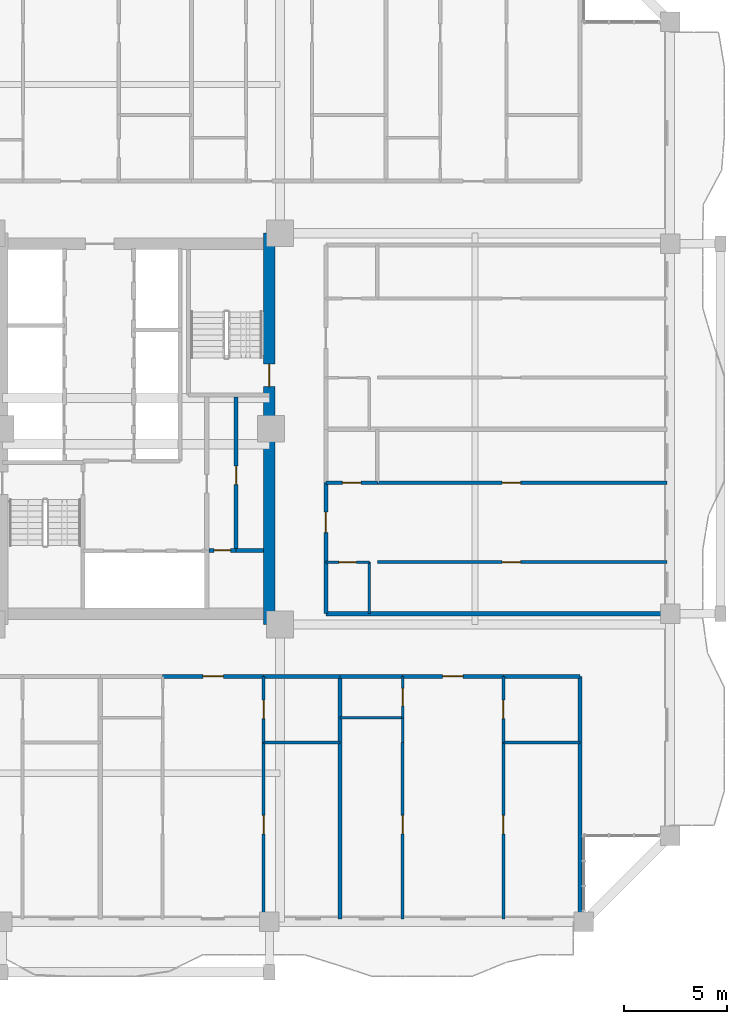
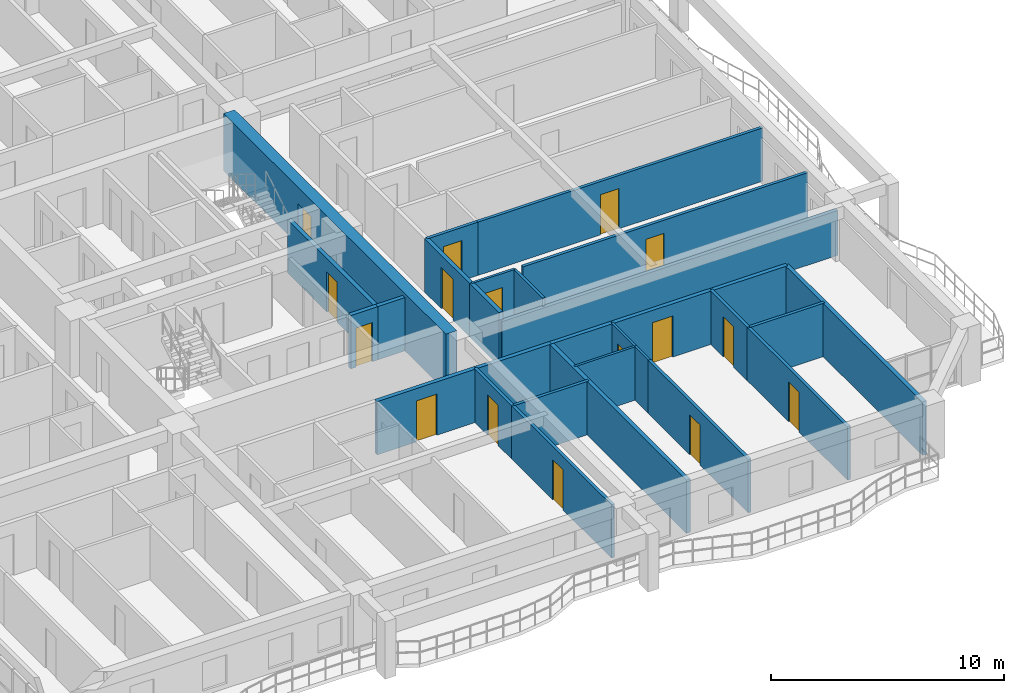
# One storey, part 17 of 26: 29 walls, 16 doors, 16 openings.
"""IFC4 building model written with IfcOpenShell, lengths in metres."""

from ifc_helpers import new_model, si_unit, direction, frame, frame_2d, origin, place, context, subcontext, project, spatial, rectangle, extrude, source, transform, mapped, material, layer, layer_set, type_object, element, fill, save


model = new_model("IFC4")

# Units and contexts
model_context = context("Model", 3, precision=1e-05, world=origin(), true_north=direction((0.0, 1.0)))
body_context = subcontext(model_context, "Body", "Model", "MODEL_VIEW")
ifc_project = project(units=[si_unit("LENGTHUNIT", "METRE"), si_unit("AREAUNIT", "SQUARE_METRE"), si_unit("VOLUMEUNIT", "CUBIC_METRE"), si_unit("PLANEANGLEUNIT", "RADIAN"), si_unit("MASSUNIT", "GRAM", prefix="KILO")], contexts=[model_context])

# Site, building, storey
site_placement = place(None, origin())
site = spatial("IfcSite", under=ifc_project, at=site_placement, CompositionType="ELEMENT")
building_placement = place(site_placement, origin())
building = spatial("IfcBuilding", under=site, at=building_placement, Name="Saelheon Loggia Tower", CompositionType="ELEMENT")
storey_placement = place(building_placement, frame((0.0, 0.0, 89.85009765625)))
storey = spatial("IfcBuildingStorey", under=building, at=storey_placement, Name="L28", CompositionType="ELEMENT", Elevation=89.85009765625)

# Wall, opening, door
ifc_material_1 = material(Name="Concrete C50/60", Category="concrete")
ifc_layer_1 = layer(ifc_material_1, 0.550048828125)
ifc_layer_set_1 = layer_set([ifc_layer_1], Name="Concrete C50/60")
wall_type_1 = type_object("IfcWallType", Name="Wall_CoreShear_550", PredefinedType="SHEAR", material=ifc_layer_set_1)
wall_1_placement = place(storey_placement, frame((44.5, 17.47998046875, 0.0), z_axis=(0.0, 0.0, 1.0), x_axis=(0.0, 1.0, 0.0)))
wall_1 = element("IfcWall", 1, at=wall_1_placement, inside=storey, type_object=wall_type_1, Name="L28 Core Shear Wall East", PredefinedType="SHEAR", context=body_context, shape_type="SweptSolid", body=[
    extrude(rectangle(XDim=19.0400390625, YDim=0.550048828125, at=frame_2d((9.52001953125, 0.0))), origin(), (0.0, 0.0, 1.0), 3.0),
])
opening_1_placement = place(wall_1_placement, frame((12.670166015625, 0.0, 0.0), z_axis=(0.0, 0.0, 1.0), x_axis=(-1.0, 0.0, 0.0)))
opening_1 = element("IfcOpeningElement", 2, at=opening_1_placement, cuts=wall_1, Name="Opening D-FD2", PredefinedType="OPENING", context=body_context, shape_type="SweptSolid", body=[
    extrude(rectangle(XDim=1.10009765625, YDim=2.14990234375, at=frame_2d((0.550048828125, 1.074951171875))), frame((0.0, 0.287109375, 0.0), z_axis=(0.0, -1.0, 0.0), x_axis=(1.0, 0.0, 0.0)), (0.0, 0.0, 1.0), 0.573974609375),
])
ifc_material_2 = material(Name="Galvanised Steel Fire Door", Category="steel")
door_type_1 = type_object("IfcDoorType", Name="Door_Fire_FD60_1100", OperationType="NOTDEFINED", PredefinedType="DOOR", material=ifc_material_2)
shared_shape_1 = source(origin(), body_context, "Body", "SweptSolid", [
    extrude(rectangle(XDim=1.10009765625, YDim=2.14990234375, at=frame_2d((0.550048828125, 1.074951171875))), frame((0.0, 0.02490234375, 0.0), z_axis=(0.0, -1.0, 0.0), x_axis=(1.0, 0.0, 0.0)), (0.0, 0.0, 1.0), 0.050048828125),
])
door_1_placement = place(opening_1_placement, origin())
door_1 = element("IfcDoor", 3, at=door_1_placement, inside=storey, type_object=door_type_1, Name="L28 Stair ST2 Corridor Door", OperationType="SINGLE_SWING_RIGHT", OverallHeight=2.14990234375, OverallWidth=1.10009765625, PredefinedType="DOOR", context=body_context, shape_type="MappedRepresentation", body=[
    mapped(shared_shape_1, transform((0.0, 0.0, 0.0), scale=1.0)),
])
fill(opening_1, door_1)

# Wall
ifc_material_3 = material(Name="Lightweight Autoclaved Aerated Concrete Block and Acoustic Gypsum", Category="concrete")
ifc_layer_2 = layer(ifc_material_3, 0.14990234375)
ifc_layer_set_2 = layer_set([ifc_layer_2], Name="Lightweight Autoclaved Aerated Concrete Block and Acoustic Gypsum")
wall_type_2 = type_object("IfcWallType", Name="Wall_Part_150", PredefinedType="PARTITIONING", material=ifc_layer_set_2)
wall_2_placement = place(storey_placement, frame((44.219970703125, 11.72998046875, 0.0), z_axis=(0.0, 0.0, 1.0), x_axis=(1.0, 0.0, 0.0)))
element("IfcWall", 4, at=wall_2_placement, inside=storey, type_object=wall_type_2, Name="L28 S Partition V29", PredefinedType="PARTITIONING", context=body_context, shape_type="SweptSolid", body=[
    extrude(rectangle(XDim=3.725341796875, YDim=0.14990234375, at=frame_2d((1.86279296875, 0.0))), origin(), (0.0, 0.0, 1.0), 2.789794921875),
])

# Wall, opening, door
wall_3_placement = place(storey_placement, frame((44.219970703125, 14.949951171875, 0.0), z_axis=(0.0, 0.0, 1.0), x_axis=(0.0, -1.0, 0.0)))
wall_3 = element("IfcWall", 5, at=wall_3_placement, inside=storey, type_object=wall_type_2, Name="L28 S Partition U33", PredefinedType="PARTITIONING", context=body_context, shape_type="SweptSolid", body=[
    extrude(rectangle(XDim=3.219970703125, YDim=0.14990234375, at=frame_2d((1.60986328125, 0.0))), origin(), (0.0, 0.0, 1.0), 2.789794921875),
])
opening_2_placement = place(wall_3_placement, frame((1.159912109375, 0.0, 0.0)))
opening_2 = element("IfcOpeningElement", 6, at=opening_2_placement, cuts=wall_3, Name="Opening D-IN2", PredefinedType="OPENING", context=body_context, shape_type="SweptSolid", body=[
    extrude(rectangle(XDim=0.89990234375, YDim=2.10009765625, at=frame_2d((0.449951171875, 1.050048828125))), frame((0.0, 0.0869140625, 0.0), z_axis=(0.0, -1.0, 0.0), x_axis=(1.0, 0.0, 0.0)), (0.0, 0.0, 1.0), 0.173828125),
])
ifc_material_4 = material(Name="Engineered Oak Flush Door", Category="timber")
door_type_2 = type_object("IfcDoorType", Name="Door_Int_900", OperationType="NOTDEFINED", PredefinedType="DOOR", material=ifc_material_4)
shared_shape_2 = source(origin(), body_context, "Body", "SweptSolid", [
    extrude(rectangle(XDim=0.89990234375, YDim=2.10009765625, at=frame_2d((0.449951171875, 1.050048828125))), frame((0.0, 0.02490234375, 0.0), z_axis=(0.0, -1.0, 0.0), x_axis=(1.0, 0.0, 0.0)), (0.0, 0.0, 1.0), 0.050048828125),
])
door_2_placement = place(opening_2_placement, origin())
door_2 = element("IfcDoor", 7, at=door_2_placement, inside=storey, type_object=door_type_2, Name="Unit U03 Kitchen Door", OperationType="SINGLE_SWING_RIGHT", OverallHeight=2.10009765625, OverallWidth=0.89990234375, PredefinedType="DOOR", context=body_context, shape_type="MappedRepresentation", body=[
    mapped(shared_shape_2, transform((0.0, 0.0, 0.0), scale=1.0)),
])
fill(opening_2, door_2)

wall_4_placement = place(storey_placement, frame((44.219970703125, 11.72998046875, 0.0), z_axis=(0.0, 0.0, 1.0), x_axis=(0.0, -1.0, 0.0)))
wall_4 = element("IfcWall", 8, at=wall_4_placement, inside=storey, type_object=wall_type_2, Name="L28 S Partition U34", PredefinedType="PARTITIONING", context=body_context, shape_type="SweptSolid", body=[
    extrude(rectangle(XDim=8.580078125, YDim=0.14990234375, at=frame_2d((4.2900390625, 0.0))), origin(), (0.0, 0.0, 1.0), 2.789794921875),
])
opening_3_placement = place(wall_4_placement, frame((3.5400390625, 0.0, 0.0)))
opening_3 = element("IfcOpeningElement", 9, at=opening_3_placement, cuts=wall_4, Name="Opening D-IN2", PredefinedType="OPENING", context=body_context, shape_type="SweptSolid", body=[
    extrude(rectangle(XDim=0.89990234375, YDim=2.10009765625, at=frame_2d((0.449951171875, 1.050048828125))), frame((0.0, 0.0869140625, 0.0), z_axis=(0.0, -1.0, 0.0), x_axis=(1.0, 0.0, 0.0)), (0.0, 0.0, 1.0), 0.173828125),
])
door_3_placement = place(opening_3_placement, origin())
door_3 = element("IfcDoor", 10, at=door_3_placement, inside=storey, type_object=door_type_2, Name="Unit U03 Bedroom 1 Door", OperationType="SINGLE_SWING_LEFT", OverallHeight=2.10009765625, OverallWidth=0.89990234375, PredefinedType="DOOR", context=body_context, shape_type="MappedRepresentation", body=[
    mapped(shared_shape_2, transform((0.0, 0.0, 0.0), scale=1.0)),
])
fill(opening_3, door_3)

# Wall
wall_5_placement = place(storey_placement, frame((55.884033203125, 11.72998046875, 0.0), z_axis=(0.0, 0.0, 1.0), x_axis=(1.0, 0.0, 0.0)))
element("IfcWall", 11, at=wall_5_placement, inside=storey, type_object=wall_type_2, Name="L28 S Partition V40", PredefinedType="PARTITIONING", context=body_context, shape_type="SweptSolid", body=[
    extrude(rectangle(XDim=3.736083984375, YDim=0.14990234375, at=frame_2d((1.8681640625, 0.0))), origin(), (0.0, 0.0, 1.0), 2.789794921875),
])

# Wall, opening, door
wall_6_placement = place(storey_placement, frame((50.980712890625, 11.72998046875, 0.0), z_axis=(0.0, 0.0, 1.0), x_axis=(0.0, -1.0, 0.0)))
wall_6 = element("IfcWall", 12, at=wall_6_placement, inside=storey, type_object=wall_type_2, Name="L28 S Partition U43", PredefinedType="PARTITIONING", context=body_context, shape_type="SweptSolid", body=[
    extrude(rectangle(XDim=8.580078125, YDim=0.14990234375, at=frame_2d((4.2900390625, 0.0))), origin(), (0.0, 0.0, 1.0), 2.789794921875),
])
opening_4_placement = place(wall_6_placement, frame((3.5400390625, 0.0, 0.0)))
opening_4 = element("IfcOpeningElement", 13, at=opening_4_placement, cuts=wall_6, Name="Opening D-IN2", PredefinedType="OPENING", context=body_context, shape_type="SweptSolid", body=[
    extrude(rectangle(XDim=0.89990234375, YDim=2.10009765625, at=frame_2d((0.449951171875, 1.050048828125))), frame((0.0, 0.0869140625, 0.0), z_axis=(0.0, -1.0, 0.0), x_axis=(1.0, 0.0, 0.0)), (0.0, 0.0, 1.0), 0.173828125),
])
door_4_placement = place(opening_4_placement, origin())
door_4 = element("IfcDoor", 14, at=door_4_placement, inside=storey, type_object=door_type_2, Name="Unit U04 Bedroom 2 Door", OperationType="SINGLE_SWING_RIGHT", OverallHeight=2.10009765625, OverallWidth=0.89990234375, PredefinedType="DOOR", context=body_context, shape_type="MappedRepresentation", body=[
    mapped(shared_shape_2, transform((0.0, 0.0, 0.0), scale=1.0)),
])
fill(opening_4, door_4)

wall_7_placement = place(storey_placement, frame((55.884033203125, 14.949951171875, 0.0), z_axis=(0.0, 0.0, 1.0), x_axis=(0.0, -1.0, 0.0)))
wall_7 = element("IfcWall", 15, at=wall_7_placement, inside=storey, type_object=wall_type_2, Name="L28 S Partition U44", PredefinedType="PARTITIONING", context=body_context, shape_type="SweptSolid", body=[
    extrude(rectangle(XDim=3.219970703125, YDim=0.14990234375, at=frame_2d((1.60986328125, 0.0))), origin(), (0.0, 0.0, 1.0), 2.789794921875),
])
opening_5_placement = place(wall_7_placement, frame((1.159912109375, 0.0, 0.0)))
opening_5 = element("IfcOpeningElement", 16, at=opening_5_placement, cuts=wall_7, Name="Opening D-IN2", PredefinedType="OPENING", context=body_context, shape_type="SweptSolid", body=[
    extrude(rectangle(XDim=0.89990234375, YDim=2.10009765625, at=frame_2d((0.449951171875, 1.050048828125))), frame((0.0, 0.0869140625, 0.0), z_axis=(0.0, -1.0, 0.0), x_axis=(1.0, 0.0, 0.0)), (0.0, 0.0, 1.0), 0.173828125),
])
door_5_placement = place(opening_5_placement, origin())
door_5 = element("IfcDoor", 17, at=door_5_placement, inside=storey, type_object=door_type_2, Name="Unit U04 Kitchen Door", OperationType="SINGLE_SWING_LEFT", OverallHeight=2.10009765625, OverallWidth=0.89990234375, PredefinedType="DOOR", context=body_context, shape_type="MappedRepresentation", body=[
    mapped(shared_shape_2, transform((0.0, 0.0, 0.0), scale=1.0)),
])
fill(opening_5, door_5)

wall_8_placement = place(storey_placement, frame((55.884033203125, 11.72998046875, 0.0), z_axis=(0.0, 0.0, 1.0), x_axis=(0.0, -1.0, 0.0)))
wall_8 = element("IfcWall", 18, at=wall_8_placement, inside=storey, type_object=wall_type_2, Name="L28 S Partition U45", PredefinedType="PARTITIONING", context=body_context, shape_type="SweptSolid", body=[
    extrude(rectangle(XDim=8.580078125, YDim=0.14990234375, at=frame_2d((4.2900390625, 0.0))), origin(), (0.0, 0.0, 1.0), 2.789794921875),
])
opening_6_placement = place(wall_8_placement, frame((3.5400390625, 0.0, 0.0)))
opening_6 = element("IfcOpeningElement", 19, at=opening_6_placement, cuts=wall_8, Name="Opening D-IN2", PredefinedType="OPENING", context=body_context, shape_type="SweptSolid", body=[
    extrude(rectangle(XDim=0.89990234375, YDim=2.10009765625, at=frame_2d((0.449951171875, 1.050048828125))), frame((0.0, 0.0869140625, 0.0), z_axis=(0.0, -1.0, 0.0), x_axis=(1.0, 0.0, 0.0)), (0.0, 0.0, 1.0), 0.173828125),
])
door_6_placement = place(opening_6_placement, origin())
door_6 = element("IfcDoor", 20, at=door_6_placement, inside=storey, type_object=door_type_2, Name="Unit U04 Bedroom 1 Door", OperationType="SINGLE_SWING_RIGHT", OverallHeight=2.10009765625, OverallWidth=0.89990234375, PredefinedType="DOOR", context=body_context, shape_type="MappedRepresentation", body=[
    mapped(shared_shape_2, transform((0.0, 0.0, 0.0), scale=1.0)),
])
fill(opening_6, door_6)

wall_9_placement = place(storey_placement, frame((49.75, 20.512939453125, 0.0), z_axis=(0.0, 0.0, 1.0), x_axis=(1.0, 0.0, 0.0)))
wall_9 = element("IfcWall", 21, at=wall_9_placement, inside=storey, type_object=wall_type_2, Name="L28 E Partition U09", PredefinedType="PARTITIONING", context=body_context, shape_type="SweptSolid", body=[
    extrude(rectangle(XDim=14.10009765625, YDim=0.14990234375, at=frame_2d((7.050048828125, 0.0))), origin(), (0.0, 0.0, 1.0), 2.789794921875),
])
opening_7_placement = place(wall_9_placement, frame((6.070068359375, 0.0, 0.0)))
opening_7 = element("IfcOpeningElement", 22, at=opening_7_placement, cuts=wall_9, Name="Opening D-IN2", PredefinedType="OPENING", context=body_context, shape_type="SweptSolid", body=[
    extrude(rectangle(XDim=0.89990234375, YDim=2.10009765625, at=frame_2d((0.449951171875, 1.050048828125))), frame((0.0, 0.0869140625, 0.0), z_axis=(0.0, -1.0, 0.0), x_axis=(1.0, 0.0, 0.0)), (0.0, 0.0, 1.0), 0.173828125),
])
door_7_placement = place(opening_7_placement, origin())
door_7 = element("IfcDoor", 23, at=door_7_placement, inside=storey, type_object=door_type_2, Name="Unit U12 Kitchen Door", OperationType="SINGLE_SWING_RIGHT", OverallHeight=2.10009765625, OverallWidth=0.89990234375, PredefinedType="DOOR", context=body_context, shape_type="MappedRepresentation", body=[
    mapped(shared_shape_2, transform((0.0, 0.0, 0.0), scale=1.0)),
])
fill(opening_7, door_7)

wall_10_placement = place(storey_placement, frame((47.25, 24.375, 0.0), z_axis=(0.0, 0.0, 1.0), x_axis=(1.0, 0.0, 0.0)))
wall_10 = element("IfcWall", 24, at=wall_10_placement, inside=storey, type_object=wall_type_2, Name="L28 E Partition U10", PredefinedType="PARTITIONING", context=body_context, shape_type="SweptSolid", body=[
    extrude(rectangle(XDim=2.5, YDim=0.14990234375, at=frame_2d((1.25, 0.0))), origin(), (0.0, 0.0, 1.0), 2.789794921875),
])
opening_8_placement = place(wall_10_placement, frame((0.800048828125, 0.0, 0.0)))
opening_8 = element("IfcOpeningElement", 25, at=opening_8_placement, cuts=wall_10, Name="Opening D-IN2", PredefinedType="OPENING", context=body_context, shape_type="SweptSolid", body=[
    extrude(rectangle(XDim=0.89990234375, YDim=2.10009765625, at=frame_2d((0.449951171875, 1.050048828125))), frame((0.0, 0.0869140625, 0.0), z_axis=(0.0, -1.0, 0.0), x_axis=(1.0, 0.0, 0.0)), (0.0, 0.0, 1.0), 0.173828125),
])
door_8_placement = place(opening_8_placement, origin())
door_8 = element("IfcDoor", 26, at=door_8_placement, inside=storey, type_object=door_type_2, Name="Unit U12 Dressing Closet Door", OperationType="SINGLE_SWING_LEFT", OverallHeight=2.10009765625, OverallWidth=0.89990234375, PredefinedType="DOOR", context=body_context, shape_type="MappedRepresentation", body=[
    mapped(shared_shape_2, transform((0.0, 0.0, 0.0), scale=1.0)),
])
fill(opening_8, door_8)

wall_11_placement = place(storey_placement, frame((49.75, 24.375, 0.0), z_axis=(0.0, 0.0, 1.0), x_axis=(1.0, 0.0, 0.0)))
wall_11 = element("IfcWall", 27, at=wall_11_placement, inside=storey, type_object=wall_type_2, Name="L28 E Partition U11", PredefinedType="PARTITIONING", context=body_context, shape_type="SweptSolid", body=[
    extrude(rectangle(XDim=14.10009765625, YDim=0.14990234375, at=frame_2d((7.050048828125, 0.0))), origin(), (0.0, 0.0, 1.0), 2.789794921875),
])
opening_9_placement = place(wall_11_placement, frame((6.070068359375, 0.0, 0.0)))
opening_9 = element("IfcOpeningElement", 28, at=opening_9_placement, cuts=wall_11, Name="Opening D-IN2", PredefinedType="OPENING", context=body_context, shape_type="SweptSolid", body=[
    extrude(rectangle(XDim=0.89990234375, YDim=2.10009765625, at=frame_2d((0.449951171875, 1.050048828125))), frame((0.0, 0.0869140625, 0.0), z_axis=(0.0, -1.0, 0.0), x_axis=(1.0, 0.0, 0.0)), (0.0, 0.0, 1.0), 0.173828125),
])
door_9_placement = place(opening_9_placement, origin())
door_9 = element("IfcDoor", 29, at=door_9_placement, inside=storey, type_object=door_type_2, Name="Unit U12 Bedroom 1 Door", OperationType="SINGLE_SWING_RIGHT", OverallHeight=2.10009765625, OverallWidth=0.89990234375, PredefinedType="DOOR", context=body_context, shape_type="MappedRepresentation", body=[
    mapped(shared_shape_2, transform((0.0, 0.0, 0.0), scale=1.0)),
])
fill(opening_9, door_9)

# Wall
ifc_material_5 = material(Name="Double Acoustic Stud and Fireboard Partition", Category="gypsum")
ifc_layer_3 = layer(ifc_material_5, 0.199951171875)
ifc_layer_set_3 = layer_set([ifc_layer_3], Name="Double Acoustic Stud and Fireboard Partition")
wall_type_3 = type_object("IfcWallType", Name="Wall_Party_200", PredefinedType="PARTITIONING", material=ifc_layer_set_3)
wall_12_placement = place(storey_placement, frame((59.6201171875, 14.949951171875, 0.0), z_axis=(0.0, 0.0, 1.0), x_axis=(0.0, -1.0, 0.0)))
element("IfcWall", 30, at=wall_12_placement, inside=storey, type_object=wall_type_3, Name="L28 S Partition U02", PredefinedType="PARTITIONING", context=body_context, shape_type="SweptSolid", body=[
    extrude(rectangle(XDim=11.800048828125, YDim=0.199951171875, at=frame_2d((5.89990234375, 0.0))), origin(), (0.0, 0.0, 1.0), 2.789794921875),
])

# Wall, opening, door
wall_13_placement = place(storey_placement, frame((39.305908203125, 14.949951171875, 0.0), z_axis=(0.0, 0.0, 1.0), x_axis=(1.0, 0.0, 0.0)))
wall_13 = element("IfcWall", 31, at=wall_13_placement, inside=storey, type_object=wall_type_3, Name="L28 S Partition V26", PredefinedType="PARTITIONING", context=body_context, shape_type="SweptSolid", body=[
    extrude(rectangle(XDim=4.9140625, YDim=0.199951171875, at=frame_2d((2.45703125, 0.0))), origin(), (0.0, 0.0, 1.0), 2.789794921875),
])
opening_10_placement = place(wall_13_placement, frame((1.95703125, 0.0, 0.0)))
opening_10 = element("IfcOpeningElement", 32, at=opening_10_placement, cuts=wall_13, Name="Opening D-FD1", PredefinedType="OPENING", context=body_context, shape_type="SweptSolid", body=[
    extrude(rectangle(XDim=1.0, YDim=2.14990234375, at=frame_2d((0.5, 1.074951171875))), frame((0.0, 0.112060546875, 0.0), z_axis=(0.0, -1.0, 0.0), x_axis=(1.0, 0.0, 0.0)), (0.0, 0.0, 1.0), 0.223876953125),
])
ifc_material_6 = material(Name="Fire-Rated Engineered Timber Entrance Door", Category="wood")
door_type_3 = type_object("IfcDoorType", Name="Door_Flat_FD30S", OperationType="NOTDEFINED", PredefinedType="DOOR", material=ifc_material_6)
shared_shape_3 = source(origin(), body_context, "Body", "SweptSolid", [
    extrude(rectangle(XDim=1.0, YDim=2.14990234375, at=frame_2d((0.5, 1.074951171875))), frame((0.0, 0.02490234375, 0.0), z_axis=(0.0, -1.0, 0.0), x_axis=(1.0, 0.0, 0.0)), (0.0, 0.0, 1.0), 0.050048828125),
])
door_10_placement = place(opening_10_placement, origin())
door_10 = element("IfcDoor", 33, at=door_10_placement, inside=storey, type_object=door_type_3, Name="Unit U03 Entrance Door", OperationType="SINGLE_SWING_LEFT", OverallHeight=2.14990234375, OverallWidth=1.0, PredefinedType="DOOR", context=body_context, shape_type="MappedRepresentation", body=[
    mapped(shared_shape_3, transform((0.0, 0.0, 0.0), scale=1.0)),
])
fill(opening_10, door_10)

# Walls
wall_14_placement = place(storey_placement, frame((44.219970703125, 14.949951171875, 0.0), z_axis=(0.0, 0.0, 1.0), x_axis=(1.0, 0.0, 0.0)))
element("IfcWall", 34, at=wall_14_placement, inside=storey, type_object=wall_type_3, Name="L28 S Partition V27", PredefinedType="PARTITIONING", context=body_context, shape_type="SweptSolid", body=[
    extrude(rectangle(XDim=3.725341796875, YDim=0.199951171875, at=frame_2d((1.86279296875, 0.0))), origin(), (0.0, 0.0, 1.0), 2.789794921875),
])
wall_15_placement = place(storey_placement, frame((47.9453125, 14.949951171875, 0.0), z_axis=(0.0, 0.0, 1.0), x_axis=(0.0, -1.0, 0.0)))
element("IfcWall", 35, at=wall_15_placement, inside=storey, type_object=wall_type_3, Name="L28 S Partition U35", PredefinedType="PARTITIONING", context=body_context, shape_type="SweptSolid", body=[
    extrude(rectangle(XDim=11.800048828125, YDim=0.199951171875, at=frame_2d((5.89990234375, 0.0))), origin(), (0.0, 0.0, 1.0), 2.789794921875),
])
wall_16_placement = place(storey_placement, frame((47.9453125, 14.949951171875, 0.0), z_axis=(0.0, 0.0, 1.0), x_axis=(1.0, 0.0, 0.0)))
element("IfcWall", 36, at=wall_16_placement, inside=storey, type_object=wall_type_3, Name="L28 S Partition V36", PredefinedType="PARTITIONING", context=body_context, shape_type="SweptSolid", body=[
    extrude(rectangle(XDim=3.035400390625, YDim=0.199951171875, at=frame_2d((1.517578125, 0.0))), origin(), (0.0, 0.0, 1.0), 2.789794921875),
])

# Wall, opening, door
wall_17_placement = place(storey_placement, frame((50.980712890625, 14.949951171875, 0.0), z_axis=(0.0, 0.0, 1.0), x_axis=(1.0, 0.0, 0.0)))
wall_17 = element("IfcWall", 37, at=wall_17_placement, inside=storey, type_object=wall_type_3, Name="L28 S Partition V37", PredefinedType="PARTITIONING", context=body_context, shape_type="SweptSolid", body=[
    extrude(rectangle(XDim=4.9033203125, YDim=0.199951171875, at=frame_2d((2.45166015625, 0.0))), origin(), (0.0, 0.0, 1.0), 2.789794921875),
])
opening_11_placement = place(wall_17_placement, frame((1.95166015625, 0.0, 0.0)))
opening_11 = element("IfcOpeningElement", 38, at=opening_11_placement, cuts=wall_17, Name="Opening D-FD1", PredefinedType="OPENING", context=body_context, shape_type="SweptSolid", body=[
    extrude(rectangle(XDim=1.0, YDim=2.14990234375, at=frame_2d((0.5, 1.074951171875))), frame((0.0, 0.112060546875, 0.0), z_axis=(0.0, -1.0, 0.0), x_axis=(1.0, 0.0, 0.0)), (0.0, 0.0, 1.0), 0.223876953125),
])
door_11_placement = place(opening_11_placement, origin())
door_11 = element("IfcDoor", 39, at=door_11_placement, inside=storey, type_object=door_type_3, Name="Unit U04 Entrance Door", OperationType="SINGLE_SWING_RIGHT", OverallHeight=2.14990234375, OverallWidth=1.0, PredefinedType="DOOR", context=body_context, shape_type="MappedRepresentation", body=[
    mapped(shared_shape_3, transform((0.0, 0.0, 0.0), scale=1.0)),
])
fill(opening_11, door_11)

# Walls
wall_18_placement = place(storey_placement, frame((55.884033203125, 14.949951171875, 0.0), z_axis=(0.0, 0.0, 1.0), x_axis=(1.0, 0.0, 0.0)))
element("IfcWall", 40, at=wall_18_placement, inside=storey, type_object=wall_type_3, Name="L28 S Partition V38", PredefinedType="PARTITIONING", context=body_context, shape_type="SweptSolid", body=[
    extrude(rectangle(XDim=3.736083984375, YDim=0.199951171875, at=frame_2d((1.8681640625, 0.0))), origin(), (0.0, 0.0, 1.0), 2.789794921875),
])
wall_19_placement = place(storey_placement, frame((47.25, 18.0, 0.0), z_axis=(0.0, 0.0, 1.0), x_axis=(1.0, 0.0, 0.0)))
element("IfcWall", 41, at=wall_19_placement, inside=storey, type_object=wall_type_3, Name="L28 E Partition U01", PredefinedType="PARTITIONING", context=body_context, shape_type="SweptSolid", body=[
    extrude(rectangle(XDim=16.60009765625, YDim=0.199951171875, at=frame_2d((8.300048828125, 0.0))), origin(), (0.0, 0.0, 1.0), 2.33984375),
])
wall_20_placement = place(storey_placement, frame((47.25, 18.0, 0.0), z_axis=(0.0, 0.0, 1.0), x_axis=(0.0, 1.0, 0.0)))
element("IfcWall", 42, at=wall_20_placement, inside=storey, type_object=wall_type_3, Name="L28 E Partition V03", PredefinedType="PARTITIONING", context=body_context, shape_type="SweptSolid", body=[
    extrude(rectangle(XDim=2.512939453125, YDim=0.199951171875, at=frame_2d((1.25634765625, 0.0))), origin(), (0.0, 0.0, 1.0), 2.789794921875),
])

# Wall, opening, door
wall_21_placement = place(storey_placement, frame((47.25, 20.512939453125, 0.0), z_axis=(0.0, 0.0, 1.0), x_axis=(0.0, 1.0, 0.0)))
wall_21 = element("IfcWall", 43, at=wall_21_placement, inside=storey, type_object=wall_type_3, Name="L28 E Partition V04", PredefinedType="PARTITIONING", context=body_context, shape_type="SweptSolid", body=[
    extrude(rectangle(XDim=3.862060546875, YDim=0.199951171875, at=frame_2d((1.93115234375, 0.0))), origin(), (0.0, 0.0, 1.0), 2.789794921875),
])
opening_12_placement = place(wall_21_placement, frame((1.430908203125, 0.0, 0.0)))
opening_12 = element("IfcOpeningElement", 44, at=opening_12_placement, cuts=wall_21, Name="Opening D-FD1", PredefinedType="OPENING", context=body_context, shape_type="SweptSolid", body=[
    extrude(rectangle(XDim=1.0, YDim=2.14990234375, at=frame_2d((0.5, 1.074951171875))), frame((0.0, 0.112060546875, 0.0), z_axis=(0.0, -1.0, 0.0), x_axis=(1.0, 0.0, 0.0)), (0.0, 0.0, 1.0), 0.223876953125),
])
door_12_placement = place(opening_12_placement, origin())
door_12 = element("IfcDoor", 45, at=door_12_placement, inside=storey, type_object=door_type_3, Name="Unit U12 Entrance Door", OperationType="SINGLE_SWING_RIGHT", OverallHeight=2.14990234375, OverallWidth=1.0, PredefinedType="DOOR", context=body_context, shape_type="MappedRepresentation", body=[
    mapped(shared_shape_3, transform((0.0, 0.0, 0.0), scale=1.0)),
])
fill(opening_12, door_12)

ifc_material_7 = material(Name="Concrete C40/50", Category="concrete")
ifc_layer_4 = layer(ifc_material_7, 0.199951171875)
ifc_layer_set_4 = layer_set([ifc_layer_4], Name="Concrete C40/50")
wall_type_4 = type_object("IfcWallType", Name="Wall_Shaft_200", PredefinedType="PARTITIONING", material=ifc_layer_set_4)
wall_22_placement = place(storey_placement, frame((41.550048828125, 21.080078125, 0.0), z_axis=(0.0, 0.0, 1.0), x_axis=(1.0, 0.0, 0.0)))
wall_22 = element("IfcWall", 46, at=wall_22_placement, inside=storey, type_object=wall_type_4, Name="CW-BOH-L28-HS", PredefinedType="PARTITIONING", context=body_context, shape_type="SweptSolid", body=[
    extrude(rectangle(XDim=1.329833984375, YDim=0.199951171875, at=frame_2d((0.6650390625, 0.0))), origin(), (0.0, 0.0, 1.0), 2.789794921875),
])
opening_13_placement = place(wall_22_placement, frame((0.260009765625, 0.0, 0.0)))
opening_13 = element("IfcOpeningElement", 47, at=opening_13_placement, cuts=wall_22, Name="Opening D-ST1", PredefinedType="OPENING", context=body_context, shape_type="SweptSolid", body=[
    extrude(rectangle(XDim=0.800048828125, YDim=2.050048828125, at=frame_2d((0.39990234375, 1.02490234375))), frame((0.0, 0.112060546875, 0.0), z_axis=(0.0, -1.0, 0.0), x_axis=(1.0, 0.0, 0.0)), (0.0, 0.0, 1.0), 0.223876953125),
])
ifc_material_8 = material(Name="Powder-Coated Steel Store Door", Category="steel")
door_type_4 = type_object("IfcDoorType", Name="Door_Store_800", OperationType="NOTDEFINED", PredefinedType="DOOR", material=ifc_material_8)
shared_shape_4 = source(origin(), body_context, "Body", "SweptSolid", [
    extrude(rectangle(XDim=0.800048828125, YDim=2.050048828125, at=frame_2d((0.39990234375, 1.02490234375))), frame((0.0, 0.02490234375, 0.0), z_axis=(0.0, -1.0, 0.0), x_axis=(1.0, 0.0, 0.0)), (0.0, 0.0, 1.0), 0.050048828125),
])
door_13_placement = place(opening_13_placement, origin())
door_13 = element("IfcDoor", 48, at=door_13_placement, inside=storey, type_object=door_type_4, Name="L28 Electrical Riser Door", OperationType="SINGLE_SWING_RIGHT", OverallHeight=2.050048828125, OverallWidth=0.800048828125, PredefinedType="DOOR", context=body_context, shape_type="MappedRepresentation", body=[
    mapped(shared_shape_4, transform((0.0, 0.0, 0.0), scale=1.0)),
])
fill(opening_13, door_13)

# Wall
wall_23_placement = place(storey_placement, frame((42.8798828125, 21.080078125, 0.0), z_axis=(0.0, 0.0, 1.0), x_axis=(1.0, 0.0, 0.0)))
element("IfcWall", 49, at=wall_23_placement, inside=storey, type_object=wall_type_4, Name="CW-BOH-L28-HS2", PredefinedType="PARTITIONING", context=body_context, shape_type="SweptSolid", body=[
    extrude(rectangle(XDim=1.340087890625, YDim=0.199951171875, at=frame_2d((0.669921875, 0.0))), origin(), (0.0, 0.0, 1.0), 2.789794921875),
])

# Wall, opening, door
wall_24_placement = place(storey_placement, frame((42.8798828125, 21.080078125, 0.0), z_axis=(0.0, 0.0, 1.0), x_axis=(0.0, 1.0, 0.0)))
wall_24 = element("IfcWall", 50, at=wall_24_placement, inside=storey, type_object=wall_type_4, Name="CW-BOH-L28-VS", PredefinedType="PARTITIONING", context=body_context, shape_type="SweptSolid", body=[
    extrude(rectangle(XDim=7.469970703125, YDim=0.199951171875, at=frame_2d((3.73486328125, 0.0))), origin(), (0.0, 0.0, 1.0), 2.789794921875),
])
opening_14_placement = place(wall_24_placement, frame((3.199951171875, 0.0, 0.0)))
opening_14 = element("IfcOpeningElement", 51, at=opening_14_placement, cuts=wall_24, Name="Opening D-RS1", PredefinedType="OPENING", context=body_context, shape_type="SweptSolid", body=[
    extrude(rectangle(XDim=0.89990234375, YDim=2.10009765625, at=frame_2d((0.449951171875, 1.050048828125))), frame((0.0, 0.112060546875, 0.0), z_axis=(0.0, -1.0, 0.0), x_axis=(1.0, 0.0, 0.0)), (0.0, 0.0, 1.0), 0.223876953125),
])
ifc_material_9 = material(Name="Galvanised Steel Riser Access Door", Category="steel")
door_type_5 = type_object("IfcDoorType", Name="Door_Riser_FD60", OperationType="NOTDEFINED", PredefinedType="DOOR", material=ifc_material_9)
door_14_placement = place(opening_14_placement, origin())
door_14 = element("IfcDoor", 52, at=door_14_placement, inside=storey, type_object=door_type_5, Name="L28 Linen Store Door", OperationType="SINGLE_SWING_LEFT", OverallHeight=2.10009765625, OverallWidth=0.89990234375, PredefinedType="DOOR", context=body_context, shape_type="MappedRepresentation", body=[
    mapped(shared_shape_2, transform((0.0, 0.0, 0.0), scale=1.0)),
])
fill(opening_14, door_14)

# Wall
ifc_material_10 = material(Name="Moisture-Resistant Cement Board Partition", Category="gypsum")
ifc_layer_5 = layer(ifc_material_10, 0.1201171875)
ifc_layer_set_5 = layer_set([ifc_layer_5], Name="Moisture-Resistant Cement Board Partition")
wall_type_5 = type_object("IfcWallType", Name="Wall_WetPart_120", PredefinedType="PARTITIONING", material=ifc_layer_set_5)
wall_25_placement = place(storey_placement, frame((47.9453125, 12.929931640625, 0.0), z_axis=(0.0, 0.0, 1.0), x_axis=(1.0, 0.0, 0.0)))
element("IfcWall", 53, at=wall_25_placement, inside=storey, type_object=wall_type_5, Name="L28 S Partition V39", PredefinedType="PARTITIONING", context=body_context, shape_type="SweptSolid", body=[
    extrude(rectangle(XDim=3.035400390625, YDim=0.1201171875, at=frame_2d((1.517578125, 0.0))), origin(), (0.0, 0.0, 1.0), 2.789794921875),
])

# Wall, opening, door
wall_26_placement = place(storey_placement, frame((50.980712890625, 14.949951171875, 0.0), z_axis=(0.0, 0.0, 1.0), x_axis=(0.0, -1.0, 0.0)))
wall_26 = element("IfcWall", 54, at=wall_26_placement, inside=storey, type_object=wall_type_5, Name="L28 S Partition U41", PredefinedType="PARTITIONING", context=body_context, shape_type="SweptSolid", body=[
    extrude(rectangle(XDim=2.02001953125, YDim=0.1201171875, at=frame_2d((1.010009765625, 0.0))), origin(), (0.0, 0.0, 1.0), 2.789794921875),
])
opening_15_placement = place(wall_26_placement, frame((0.5849609375, 0.0, 0.0)))
opening_15 = element("IfcOpeningElement", 55, at=opening_15_placement, cuts=wall_26, Name="Opening D-BT1", PredefinedType="OPENING", context=body_context, shape_type="SweptSolid", body=[
    extrude(rectangle(XDim=0.85009765625, YDim=2.050048828125, at=frame_2d((0.425048828125, 1.02490234375))), frame((0.0, 0.072021484375, 0.0), z_axis=(0.0, -1.0, 0.0), x_axis=(1.0, 0.0, 0.0)), (0.0, 0.0, 1.0), 0.14404296875),
])
ifc_material_11 = material(Name="Moisture-Resistant Laminate Timber Door", Category="wood")
door_type_6 = type_object("IfcDoorType", Name="Door_Bath_850", OperationType="NOTDEFINED", PredefinedType="DOOR", material=ifc_material_11)
shared_shape_5 = source(origin(), body_context, "Body", "SweptSolid", [
    extrude(rectangle(XDim=0.85009765625, YDim=2.050048828125, at=frame_2d((0.425048828125, 1.02490234375))), frame((0.0, 0.02490234375, 0.0), z_axis=(0.0, -1.0, 0.0), x_axis=(1.0, 0.0, 0.0)), (0.0, 0.0, 1.0), 0.050048828125),
])
door_15_placement = place(opening_15_placement, origin())
door_15 = element("IfcDoor", 56, at=door_15_placement, inside=storey, type_object=door_type_6, Name="Unit U04 Bathroom Door", OperationType="SINGLE_SWING_LEFT", OverallHeight=2.050048828125, OverallWidth=0.85009765625, PredefinedType="DOOR", context=body_context, shape_type="MappedRepresentation", body=[
    mapped(shared_shape_5, transform((0.0, 0.0, 0.0), scale=1.0)),
])
fill(opening_15, door_15)

# Walls
wall_27_placement = place(storey_placement, frame((50.980712890625, 12.929931640625, 0.0), z_axis=(0.0, 0.0, 1.0), x_axis=(0.0, -1.0, 0.0)))
element("IfcWall", 57, at=wall_27_placement, inside=storey, type_object=wall_type_5, Name="L28 S Partition U42", PredefinedType="PARTITIONING", context=body_context, shape_type="SweptSolid", body=[
    extrude(rectangle(XDim=1.199951171875, YDim=0.1201171875, at=frame_2d((0.60009765625, 0.0))), origin(), (0.0, 0.0, 1.0), 2.789794921875),
])
wall_28_placement = place(storey_placement, frame((49.3701171875, 18.0, 0.0), z_axis=(0.0, 0.0, 1.0), x_axis=(0.0, 1.0, 0.0)))
element("IfcWall", 58, at=wall_28_placement, inside=storey, type_object=wall_type_5, Name="L28 E Partition V06", PredefinedType="PARTITIONING", context=body_context, shape_type="SweptSolid", body=[
    extrude(rectangle(XDim=2.512939453125, YDim=0.1201171875, at=frame_2d((1.25634765625, 0.0))), origin(), (0.0, 0.0, 1.0), 2.789794921875),
])

# Wall, opening, door
wall_29_placement = place(storey_placement, frame((47.25, 20.512939453125, 0.0), z_axis=(0.0, 0.0, 1.0), x_axis=(1.0, 0.0, 0.0)))
wall_29 = element("IfcWall", 59, at=wall_29_placement, inside=storey, type_object=wall_type_5, Name="L28 E Partition U08", PredefinedType="PARTITIONING", context=body_context, shape_type="SweptSolid", body=[
    extrude(rectangle(XDim=2.1201171875, YDim=0.1201171875, at=frame_2d((1.06005859375, 0.0))), origin(), (0.0, 0.0, 1.0), 2.789794921875),
])
opening_16_placement = place(wall_29_placement, frame((0.635009765625, 0.0, 0.0)))
opening_16 = element("IfcOpeningElement", 60, at=opening_16_placement, cuts=wall_29, Name="Opening D-BT1", PredefinedType="OPENING", context=body_context, shape_type="SweptSolid", body=[
    extrude(rectangle(XDim=0.85009765625, YDim=2.050048828125, at=frame_2d((0.425048828125, 1.02490234375))), frame((0.0, 0.072021484375, 0.0), z_axis=(0.0, -1.0, 0.0), x_axis=(1.0, 0.0, 0.0)), (0.0, 0.0, 1.0), 0.14404296875),
])
door_16_placement = place(opening_16_placement, origin())
door_16 = element("IfcDoor", 61, at=door_16_placement, inside=storey, type_object=door_type_6, Name="Unit U12 Bathroom Door", OperationType="SINGLE_SWING_LEFT", OverallHeight=2.050048828125, OverallWidth=0.85009765625, PredefinedType="DOOR", context=body_context, shape_type="MappedRepresentation", body=[
    mapped(shared_shape_5, transform((0.0, 0.0, 0.0), scale=1.0)),
])
fill(opening_16, door_16)

save(model, "model.ifc")
